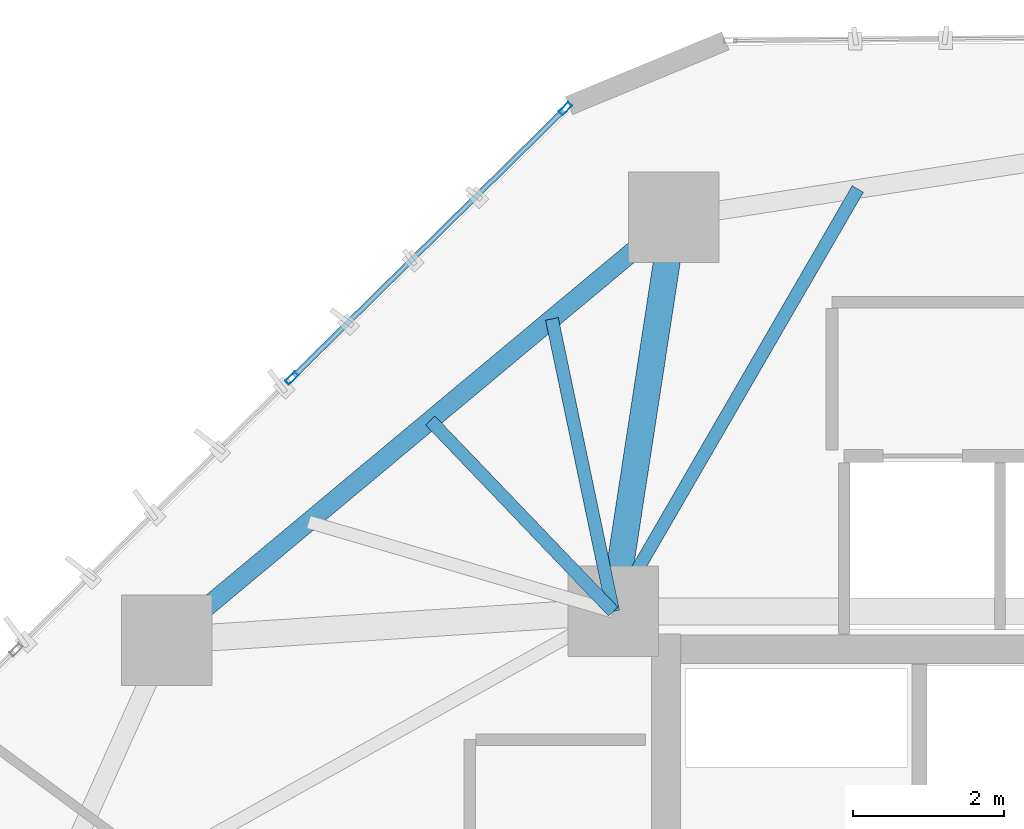
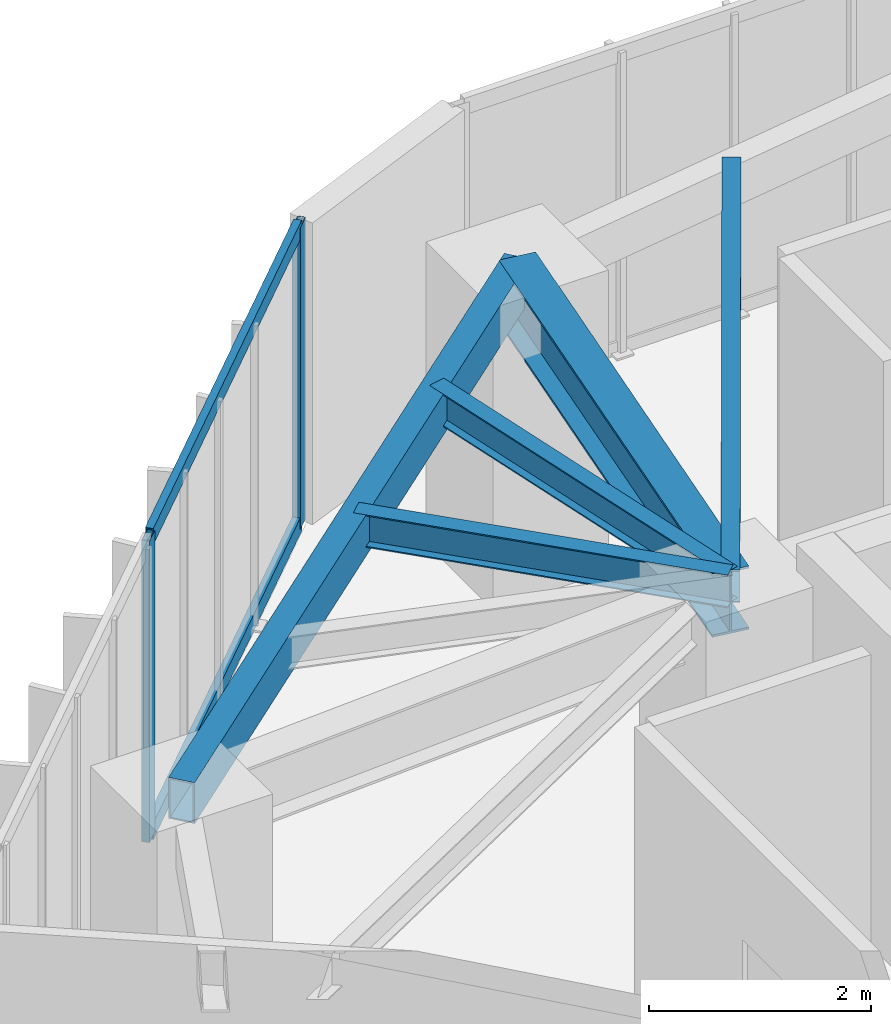
# One storey, part 10 of 21: 5 beams, 4 members, 1 element without a shape of its own.
"""IFC4 building model written with IfcOpenShell, lengths in metres."""

from ifc_helpers import new_model, si_unit, direction, frame, origin, origin_2d, place, context, subcontext, project, spatial, hollow_rectangle, i_section, extrude, source, transform, mapped, material, layer, layer_set, material_profile, profile_set, type_object, type_shapes, element, aggregate, save


model = new_model("IFC4")

# Units and contexts
model_context = context("Model", 3, precision=1e-05, world=origin(), true_north=direction((0.0, 1.0)))
body_context = subcontext(model_context, "Body", "Model", "MODEL_VIEW")
ifc_project = project(units=[si_unit("LENGTHUNIT", "METRE"), si_unit("AREAUNIT", "SQUARE_METRE"), si_unit("VOLUMEUNIT", "CUBIC_METRE"), si_unit("PLANEANGLEUNIT", "RADIAN"), si_unit("MASSUNIT", "GRAM", prefix="KILO")], contexts=[model_context])

# Site, building, storey
site_placement = place(None, origin())
site = spatial("IfcSite", under=ifc_project, at=site_placement, CompositionType="ELEMENT")
building_placement = place(site_placement, origin())
building = spatial("IfcBuilding", under=site, at=building_placement, Name="Talar Marvaseh", CompositionType="ELEMENT")
storey_placement = place(building_placement, frame((0.0, 0.0, 93.0)))
storey = spatial("IfcBuildingStorey", under=building, at=storey_placement, Name="L23", CompositionType="ELEMENT", Elevation=93.0)

# Beams
ifc_material_1 = material(Name="Steel S355", Category="steel")
ifc_material_profile_1 = material_profile(ifc_material_1, hollow_rectangle(XDim=0.25, YDim=0.449951171875, WallThickness=0.01611328125, at=origin_2d()), Name="RHS450x250x16")
ifc_profile_set_1 = profile_set([ifc_material_profile_1], Name="Steel S355")
beam_type_1 = type_object("IfcBeamType", Name="Zone 2 Perimeter Spandrel Beam RHS450x250x16", PredefinedType="SPANDREL", material=ifc_profile_set_1)
beam_1_placement = place(storey_placement, frame((12.780029296875, 36.51708984375, 3.0849609375), z_axis=(0.76793081465, 0.640532796905, 0.0), x_axis=(-0.640532796905, 0.76793081465, 0.0)))
element("IfcBeam", 1, at=beam_1_placement, inside=storey, type_object=beam_type_1, Name="L23 Zone 2 Perimeter Spandrel Beam RHS450x250x16", PredefinedType="SPANDREL", context=body_context, shape_type="SweptSolid", body=[
    extrude(hollow_rectangle(XDim=0.25, YDim=0.449951171875, WallThickness=0.01611328125, at=origin_2d()), origin(), (0.0, 0.0, 1.0), 8.751953125),
])
ifc_material_profile_2 = material_profile(ifc_material_1, i_section(OverallWidth=0.35498046875, OverallDepth=0.695068359375, WebThickness=0.015380859375, FlangeThickness=0.02490234375, at=origin_2d()), Name="W690x217")
ifc_profile_set_2 = profile_set([ifc_material_profile_2], Name="Steel S355")
beam_type_2 = type_object("IfcBeamType", Name="Zone 2 Radial Floor Girder W690x217", PredefinedType="BEAM", material=ifc_profile_set_2)
beam_2_placement = place(storey_placement, frame((19.5009765625, 42.123046875, 2.96240234375), z_axis=(-0.151588471466, -0.98844369355, 0.0), x_axis=(0.98844369355, -0.151588471466, 0.0)))
element("IfcBeam", 2, at=beam_2_placement, inside=storey, type_object=beam_type_2, Name="L23 Zone 2 Radial Floor Girder W690x217", PredefinedType="BEAM", context=body_context, shape_type="SweptSolid", body=[
    extrude(i_section(OverallWidth=0.35498046875, OverallDepth=0.695068359375, WebThickness=0.015380859375, FlangeThickness=0.02490234375, at=origin_2d()), origin(), (0.0, 0.0, 1.0), 5.2841796875),
])
ifc_material_profile_3 = material_profile(ifc_material_1, i_section(OverallWidth=0.172119140625, OverallDepth=0.35791015625, WebThickness=0.0078125, FlangeThickness=0.01318359375, at=origin_2d()), Name="W360x57")
ifc_profile_set_3 = profile_set([ifc_material_profile_3], Name="Steel S355")
beam_type_3 = type_object("IfcBeamType", Name="Zone 2 Secondary Floor Joist W360x57", PredefinedType="JOIST", material=ifc_profile_set_3)
beam_3_placement = place(storey_placement, frame((16.27490234375, 39.43212890625, 3.131103515625), z_axis=(0.691657292908, -0.722225857449, 0.0), x_axis=(0.722225857449, 0.691657292908, 0.0)))
element("IfcBeam", 3, at=beam_3_placement, inside=storey, type_object=beam_type_3, Name="L23 Zone 2 Secondary Floor Joist W360x57", PredefinedType="JOIST", context=body_context, shape_type="SweptSolid", body=[
    extrude(i_section(OverallWidth=0.172119140625, OverallDepth=0.35791015625, WebThickness=0.0078125, FlangeThickness=0.01318359375, at=origin_2d()), origin(), (0.0, 0.0, 1.0), 3.506103515625),
])
beam_4_placement = place(storey_placement, frame((17.887939453125, 40.777587890625, 3.131103515625), z_axis=(0.204960633597, -0.978770217505, 0.0), x_axis=(0.978770217505, 0.204960633597, 0.0)))
element("IfcBeam", 4, at=beam_4_placement, inside=storey, type_object=beam_type_3, Name="L23 Zone 2 Secondary Floor Joist W360x57", PredefinedType="JOIST", context=body_context, shape_type="SweptSolid", body=[
    extrude(i_section(OverallWidth=0.172119140625, OverallDepth=0.35791015625, WebThickness=0.0078125, FlangeThickness=0.01318359375, at=origin_2d()), origin(), (0.0, 0.0, 1.0), 3.9619140625),
])
beam_5_placement = place(storey_placement, frame((21.94287109375, 42.500732421875, 3.131103515625), z_axis=(-0.501074932228, -0.865403901246, 0.0), x_axis=(0.865403901246, -0.501074932228, 0.0)))
element("IfcBeam", 5, at=beam_5_placement, inside=storey, type_object=beam_type_3, Name="L23 Zone 2 Secondary Floor Joist W360x57", PredefinedType="JOIST", context=body_context, shape_type="SweptSolid", body=[
    extrude(i_section(OverallWidth=0.172119140625, OverallDepth=0.35791015625, WebThickness=0.0078125, FlangeThickness=0.01318359375, at=origin_2d()), origin(), (0.0, 0.0, 1.0), 6.471923828125),
])

# Curtain wall, members
ifc_material_2 = material(Name="Architectural Aluminium", Category="aluminium")
ifc_layer = layer(ifc_material_2, 0.199951171875)
ifc_layer_set = layer_set([ifc_layer], Name="Architectural Aluminium")
curtain_wall_type = type_object("IfcCurtainWallType", Name="Unitised Acoustic Library Curtain Wall Z2", PredefinedType="NOTDEFINED", material=ifc_layer_set)
curtain_wall_placement = place(storey_placement, origin())
curtain_wall = element("IfcCurtainWall", 6, at=curtain_wall_placement, inside=storey, type_object=curtain_wall_type, Name="L23 Unitised Acoustic Library Curtain Wall Z2", PredefinedType="NOTDEFINED")
ifc_material_profile_4 = material_profile(ifc_material_2, hollow_rectangle(XDim=0.074951171875, YDim=0.179931640625, WallThickness=0.0048828125, at=origin_2d()), Name="RHS180x75x5")
ifc_profile_set_4 = profile_set([ifc_material_profile_4], Name="Architectural Aluminium")
member_type_1 = type_object("IfcMemberType", Name="Unitised Curtain Wall Standard Mullion RHS180x75x5", PredefinedType="MULLION", material=ifc_profile_set_4)
shared_shape_1 = source(origin(), body_context, "Body", "SweptSolid", [
    extrude(hollow_rectangle(XDim=0.074951171875, YDim=0.179931640625, WallThickness=0.0048828125, at=origin_2d()), origin(), (0.0, 0.0, 1.0), 3.31005859375),
])
type_shapes(member_type_1, [shared_shape_1])
member_1_placement = place(storey_placement, frame((14.440185546875, 39.99267578125, 0.0), z_axis=(0.0, 0.0, 1.0), x_axis=(-0.701755340758, 0.71241802456, 0.0)))
member_1 = element("IfcMember", 7, at=member_1_placement, type_object=member_type_1, Name="CW-Z2 mullion 3", PredefinedType="MULLION", context=body_context, shape_type="MappedRepresentation", body=[
    mapped(shared_shape_1, transform((0.0, 0.0, 0.0), x_axis=(1.0, 0.0, 0.0), y_axis=(0.0, 1.0, 0.0), z_axis=(0.0, 0.0, 1.0), scale=1.0)),
])
member_2_placement = place(storey_placement, frame((18.068115234375, 43.566162109375, 0.0), z_axis=(0.0, 0.0, 1.0), x_axis=(-0.701755340758, 0.71241802456, 0.0)))
member_2 = element("IfcMember", 8, at=member_2_placement, type_object=member_type_1, Name="CW-Z2 mullion 4", PredefinedType="MULLION", context=body_context, shape_type="MappedRepresentation", body=[
    mapped(shared_shape_1, transform((0.0, 0.0, 0.0), x_axis=(1.0, 0.0, 0.0), y_axis=(0.0, 1.0, 0.0), z_axis=(0.0, 0.0, 1.0), scale=1.0)),
])
ifc_material_profile_5 = material_profile(ifc_material_2, hollow_rectangle(XDim=0.074951171875, YDim=0.179931640625, WallThickness=0.0048828125, at=origin_2d()), Name="RHS180x75x5")
ifc_profile_set_5 = profile_set([ifc_material_profile_5], Name="Architectural Aluminium")
member_type_2 = type_object("IfcMemberType", Name="Unitised Curtain Wall Transom RHS180x75x5", PredefinedType="USERDEFINED", material=ifc_profile_set_5)
shared_shape_2 = source(origin(), body_context, "Body", "SweptSolid", [
    extrude(hollow_rectangle(XDim=0.074951171875, YDim=0.179931640625, WallThickness=0.0048828125, at=origin_2d()), origin(), (0.0, 0.0, 1.0), 5.017578125),
])
type_shapes(member_type_2, [shared_shape_2])
member_3_placement = place(storey_placement, frame((14.466796875, 40.018798828125, 0.03759765625), z_axis=(0.712390529253, 0.701783252743, 0.0), x_axis=(-0.701783252743, 0.712390529253, 0.0)))
member_3 = element("IfcMember", 9, at=member_3_placement, type_object=member_type_2, Name="CW-Z2 transom 3.1", ObjectType="TRANSOM", PredefinedType="USERDEFINED", context=body_context, shape_type="MappedRepresentation", body=[
    mapped(shared_shape_2, transform((0.0, 0.0, 0.0), x_axis=(1.0, 0.0, 0.0), y_axis=(0.0, 1.0, 0.0), z_axis=(0.0, 0.0, 1.0), scale=1.0)),
])
member_4_placement = place(storey_placement, frame((14.466796875, 40.018798828125, 3.2724609375), z_axis=(0.712390529253, 0.701783252743, 0.0), x_axis=(-0.701783252743, 0.712390529253, 0.0)))
member_4 = element("IfcMember", 10, at=member_4_placement, type_object=member_type_2, Name="CW-Z2 transom 3.2", ObjectType="TRANSOM", PredefinedType="USERDEFINED", context=body_context, shape_type="MappedRepresentation", body=[
    mapped(shared_shape_2, transform((0.0, 0.0, 0.0), x_axis=(1.0, 0.0, 0.0), y_axis=(0.0, 1.0, 0.0), z_axis=(0.0, 0.0, 1.0), scale=1.0)),
])
aggregate(curtain_wall, [member_1, member_2, member_3, member_4])

save(model, "model.ifc")
